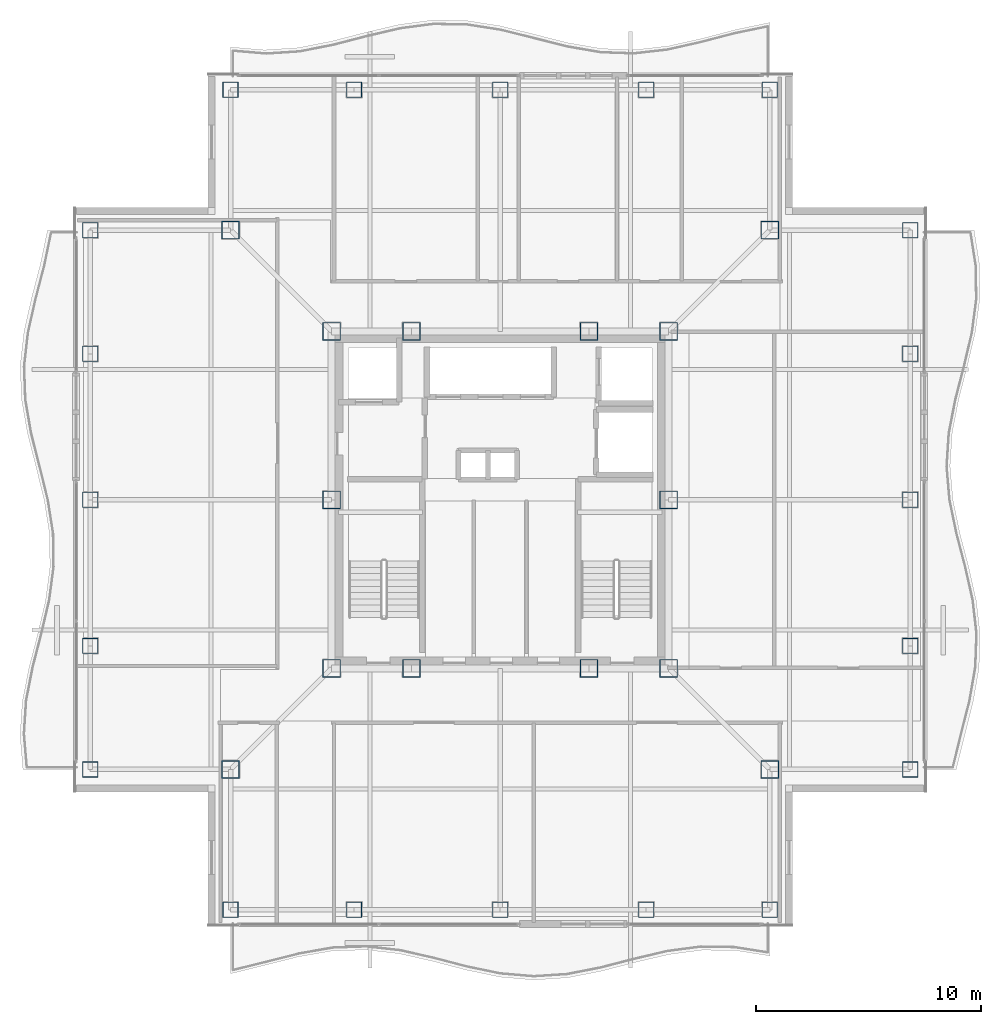
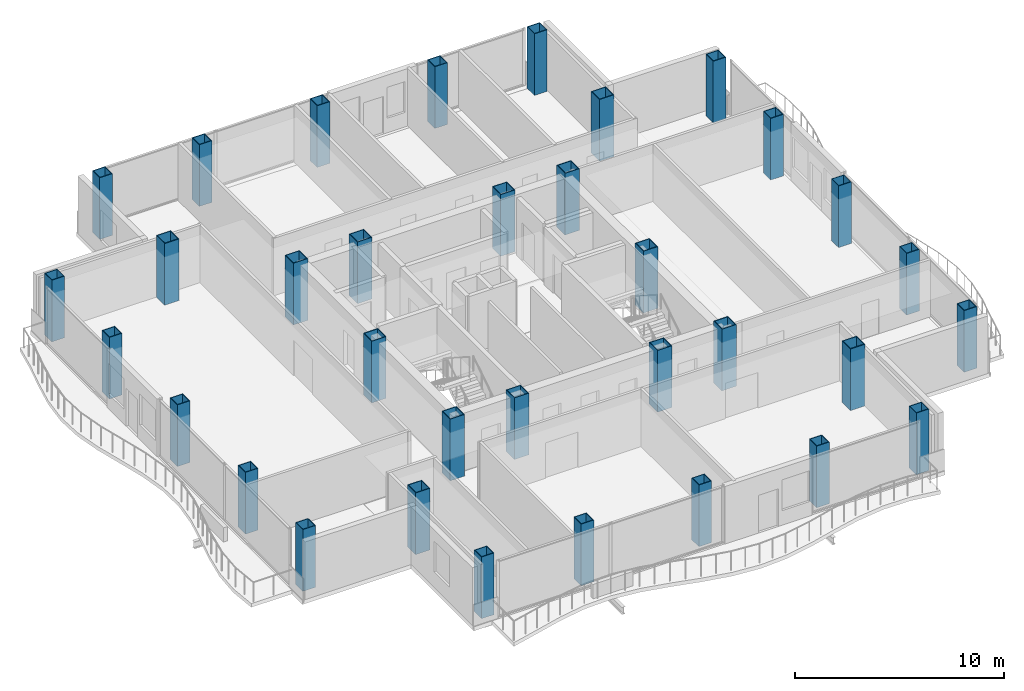
# One storey, part 1 of 17: 34 columns.
"""IFC4 building model written with IfcOpenShell, lengths in metres."""

from ifc_helpers import new_model, si_unit, direction, frame, origin, origin_2d, place, context, subcontext, project, spatial, hollow_rectangle, extrude, material, material_profile, profile_set, type_object, element, save


model = new_model("IFC4")

# Units and contexts
model_context = context("Model", 3, precision=1e-05, world=origin(), true_north=direction((0.0, 1.0)))
body_context = subcontext(model_context, "Body", "Model", "MODEL_VIEW")
ifc_project = project(units=[si_unit("LENGTHUNIT", "METRE"), si_unit("AREAUNIT", "SQUARE_METRE"), si_unit("VOLUMEUNIT", "CUBIC_METRE"), si_unit("PLANEANGLEUNIT", "RADIAN"), si_unit("MASSUNIT", "GRAM", prefix="KILO")], contexts=[model_context])

# Site, building, storey
site_placement = place(None, origin())
site = spatial("IfcSite", under=ifc_project, at=site_placement, CompositionType="ELEMENT")
building_placement = place(site_placement, origin())
building = spatial("IfcBuilding", under=site, at=building_placement, Name="Trevonay Congress Spire", CompositionType="ELEMENT")
storey_placement = place(building_placement, frame((0.0, 0.0, 264.800048828125)))
storey = spatial("IfcBuildingStorey", under=building, at=storey_placement, Name="L69", CompositionType="ELEMENT", Elevation=264.800048828125)

# Columns
ifc_material = material(Name="Steel ASTM A572 Grade 50", Category="steel")
ifc_material_profile_1 = material_profile(ifc_material, hollow_rectangle(XDim=0.800048828125, YDim=0.800048828125, WallThickness=0.0400390625, at=origin_2d()), Name="BOX 800x800x40")
ifc_profile_set_1 = profile_set([ifc_material_profile_1], Name="Steel ASTM A572 Grade 50")
column_type_1 = type_object("IfcColumnType", Name="COL-CORE-BOX800", PredefinedType="COLUMN", material=ifc_profile_set_1)
for number, where, z_axis, x_axis, name in (
    (1, (-7.5, -7.5, 0.0), (0.0, 0.0, 1.0), (1.0, 0.0, 0.0), "L69 column C05 at CC-SW"),
    (2, (-3.949951171875, -7.5, 0.0), (0.0, 0.0, 1.0), (1.0, 0.0, 0.0), "L69 column C05 at CC-SMW"),
    (3, (3.949951171875, -7.5, 0.0), (0.0, 0.0, 1.0), (1.0, 0.0, 0.0), "L69 column C05 at CC-SME"),
    (4, (7.5, -7.5, 0.0), (0.0, 0.0, 1.0), (1.0, 0.0, 0.0), "L69 column C05 at CC-SE"),
    (5, (7.5, 0.0, 0.0), (0.0, 0.0, 1.0), (1.0, 0.0, 0.0), "L69 column C05 at CC-E"),
    (6, (7.5, 7.5, 0.0), (0.0, 0.0, 1.0), (1.0, 0.0, 0.0), "L69 column C05 at CC-NE"),
    (7, (3.949951171875, 7.5, 0.0), (0.0, 0.0, 1.0), (1.0, 0.0, 0.0), "L69 column C05 at CC-NME"),
    (8, (-3.949951171875, 7.5, 0.0), (0.0, 0.0, 1.0), (1.0, 0.0, 0.0), "L69 column C05 at CC-NMW"),
    (9, (-7.5, 7.5, 0.0), (0.0, 0.0, 1.0), (1.0, 0.0, 0.0), "L69 column C05 at CC-NW"),
    (10, (-7.5, 0.0, 0.0), (0.0, 0.0, 1.0), (1.0, 0.0, 0.0), "L69 column C05 at CC-W"),
):
    element("IfcColumn", number, at=place(storey_placement, frame(where, z_axis=z_axis, x_axis=x_axis)), inside=storey, type_object=column_type_1, Name=name, PredefinedType="COLUMN", context=body_context, shape_type="SweptSolid", body=[
        extrude(hollow_rectangle(XDim=0.800048828125, YDim=0.800048828125, WallThickness=0.0400390625, at=origin_2d()), origin(), (0.0, 0.0, 1.0), 3.599853515625),
    ])
ifc_material_profile_2 = material_profile(ifc_material, hollow_rectangle(XDim=0.699951171875, YDim=0.699951171875, WallThickness=0.034912109375, at=origin_2d()), Name="BOX 700x700x35")
ifc_profile_set_2 = profile_set([ifc_material_profile_2], Name="Steel ASTM A572 Grade 50")
column_type_2 = type_object("IfcColumnType", Name="COL-TUBE-BOX700", PredefinedType="COLUMN", material=ifc_profile_set_2)
for number, where, z_axis, x_axis, name in (
    (11, (-12.0, -18.25, 0.0), (0.0, 0.0, 1.0), (1.0, 0.0, 0.0), "L69 column C17 at TS-1"),
    (12, (-12.0, 18.25, 0.0), (0.0, 0.0, 1.0), (1.0, 0.0, 0.0), "L69 column C17 at TN-1"),
    (13, (-18.25, -12.0, 0.0), (0.0, 0.0, 1.0), (1.0, 0.0, 0.0), "L69 column C17 at TW-1"),
    (14, (18.25, -12.0, 0.0), (0.0, 0.0, 1.0), (1.0, 0.0, 0.0), "L69 column C17 at TE-1"),
    (15, (-6.5, -18.25, 0.0), (0.0, 0.0, 1.0), (1.0, 0.0, 0.0), "L69 column C17 at TS-2"),
    (16, (-6.5, 18.25, 0.0), (0.0, 0.0, 1.0), (1.0, 0.0, 0.0), "L69 column C17 at TN-2"),
    (17, (-18.25, -6.5, 0.0), (0.0, 0.0, 1.0), (1.0, 0.0, 0.0), "L69 column C17 at TW-2"),
    (18, (18.25, -6.5, 0.0), (0.0, 0.0, 1.0), (1.0, 0.0, 0.0), "L69 column C17 at TE-2"),
    (19, (0.0, -18.25, 0.0), (0.0, 0.0, 1.0), (1.0, 0.0, 0.0), "L69 column C17 at TS-3"),
    (20, (0.0, 18.25, 0.0), (0.0, 0.0, 1.0), (1.0, 0.0, 0.0), "L69 column C17 at TN-3"),
    (21, (-18.25, 0.0, 0.0), (0.0, 0.0, 1.0), (1.0, 0.0, 0.0), "L69 column C17 at TW-3"),
    (22, (18.25, 0.0, 0.0), (0.0, 0.0, 1.0), (1.0, 0.0, 0.0), "L69 column C17 at TE-3"),
    (23, (6.5, -18.25, 0.0), (0.0, 0.0, 1.0), (1.0, 0.0, 0.0), "L69 column C17 at TS-4"),
    (24, (6.5, 18.25, 0.0), (0.0, 0.0, 1.0), (1.0, 0.0, 0.0), "L69 column C17 at TN-4"),
    (25, (-18.25, 6.5, 0.0), (0.0, 0.0, 1.0), (1.0, 0.0, 0.0), "L69 column C17 at TW-4"),
    (26, (18.25, 6.5, 0.0), (0.0, 0.0, 1.0), (1.0, 0.0, 0.0), "L69 column C17 at TE-4"),
    (27, (12.0, -18.25, 0.0), (0.0, 0.0, 1.0), (1.0, 0.0, 0.0), "L69 column C17 at TS-5"),
    (28, (12.0, 18.25, 0.0), (0.0, 0.0, 1.0), (1.0, 0.0, 0.0), "L69 column C17 at TN-5"),
    (29, (-18.25, 12.0, 0.0), (0.0, 0.0, 1.0), (1.0, 0.0, 0.0), "L69 column C17 at TW-5"),
    (30, (18.25, 12.0, 0.0), (0.0, 0.0, 1.0), (1.0, 0.0, 0.0), "L69 column C17 at TE-5"),
):
    element("IfcColumn", number, at=place(storey_placement, frame(where, z_axis=z_axis, x_axis=x_axis)), inside=storey, type_object=column_type_2, Name=name, PredefinedType="COLUMN", context=body_context, shape_type="SweptSolid", body=[
        extrude(hollow_rectangle(XDim=0.699951171875, YDim=0.699951171875, WallThickness=0.034912109375, at=origin_2d()), origin(), (0.0, 0.0, 1.0), 3.599853515625),
    ])
ifc_material_profile_3 = material_profile(ifc_material, hollow_rectangle(XDim=0.800048828125, YDim=0.800048828125, WallThickness=0.0400390625, at=origin_2d()), Name="BOX 800x800x40")
ifc_profile_set_3 = profile_set([ifc_material_profile_3], Name="Steel ASTM A572 Grade 50")
column_type_3 = type_object("IfcColumnType", Name="COL-TUBE-BOX800", PredefinedType="COLUMN", material=ifc_profile_set_3)
for number, where, z_axis, x_axis, name in (
    (31, (-12.0, -12.0, 0.0), (0.0, 0.0, 1.0), (1.0, 0.0, 0.0), "L69 column C16 at NC-SW"),
    (32, (12.0, -12.0, 0.0), (0.0, 0.0, 1.0), (1.0, 0.0, 0.0), "L69 column C16 at NC-SE"),
    (33, (12.0, 12.0, 0.0), (0.0, 0.0, 1.0), (1.0, 0.0, 0.0), "L69 column C16 at NC-NE"),
    (34, (-12.0, 12.0, 0.0), (0.0, 0.0, 1.0), (1.0, 0.0, 0.0), "L69 column C16 at NC-NW"),
):
    element("IfcColumn", number, at=place(storey_placement, frame(where, z_axis=z_axis, x_axis=x_axis)), inside=storey, type_object=column_type_3, Name=name, PredefinedType="COLUMN", context=body_context, shape_type="SweptSolid", body=[
        extrude(hollow_rectangle(XDim=0.800048828125, YDim=0.800048828125, WallThickness=0.0400390625, at=origin_2d()), origin(), (0.0, 0.0, 1.0), 3.599853515625),
    ])

save(model, "model.ifc")
